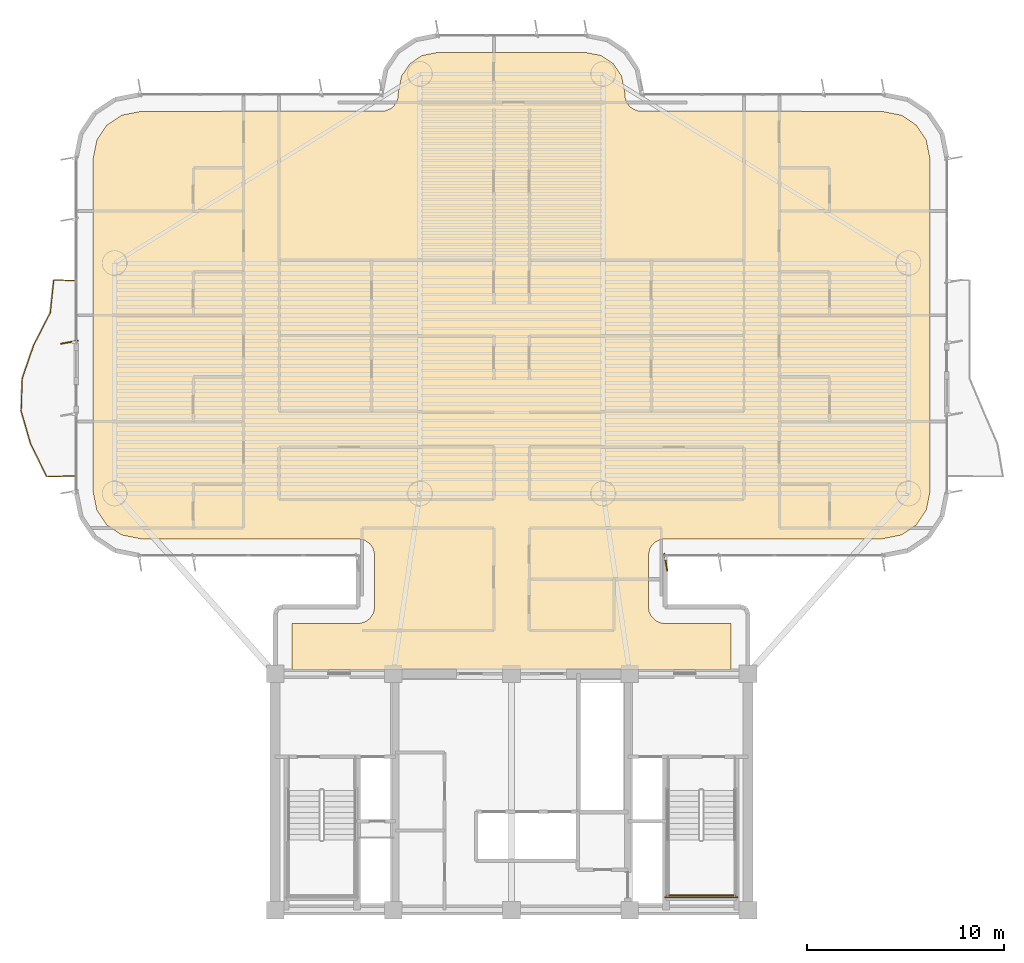
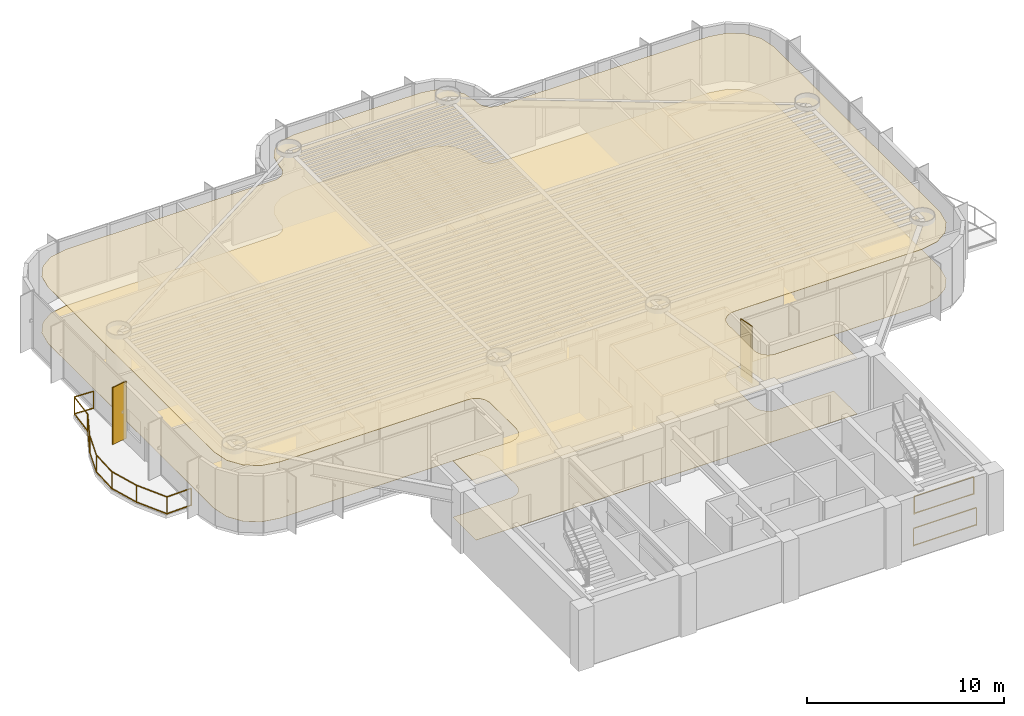
# One storey, part 15 of 17: 3 railings, 2 coverings, 2 shading devices.
"""IFC4 building model written with IfcOpenShell, lengths in metres."""

from ifc_helpers import new_model, si_unit, direction, frame, origin, origin_2d, place, context, subcontext, project, spatial, polyline, rectangle, outline, extrude, source, transform, mapped, material, layer, layer_set, material_profile, profile_set, type_object, element, save


model = new_model("IFC4")

# Units and contexts
model_context = context("Model", 3, precision=1e-05, world=origin(), true_north=direction((0.0, 1.0)))
body_context = subcontext(model_context, "Body", "Model", "MODEL_VIEW")
ifc_project = project(units=[si_unit("LENGTHUNIT", "METRE"), si_unit("AREAUNIT", "SQUARE_METRE"), si_unit("VOLUMEUNIT", "CUBIC_METRE"), si_unit("PLANEANGLEUNIT", "RADIAN"), si_unit("MASSUNIT", "GRAM", prefix="KILO")], contexts=[model_context])

# Site, building, storey
site_placement = place(None, origin())
site = spatial("IfcSite", under=ifc_project, at=site_placement, CompositionType="ELEMENT")
building_placement = place(site_placement, origin())
building = spatial("IfcBuilding", under=site, at=building_placement, Name="Brelvock Crest Care Tower", CompositionType="ELEMENT")
storey_placement = place(building_placement, frame((0.0, 0.0, 135.179931640625)))
storey = spatial("IfcBuildingStorey", under=building, at=storey_placement, Name="L34", CompositionType="ELEMENT", Elevation=135.179931640625)

# Coverings
ifc_material_1 = material(Name="Mineral Fibre Acoustic Ceiling Tile", Category="gypsum")
ifc_layer_1 = layer(ifc_material_1, 0.02490234375, Name="COV-CLG1")
ifc_layer_set_1 = layer_set([ifc_layer_1], Name="Mineral Fibre Acoustic Ceiling Tile")
covering_type_1 = type_object("IfcCoveringType", Name="COV-CLG1", PredefinedType="CEILING", material=ifc_layer_set_1)
covering_1_placement = place(storey_placement, frame((0.0, 0.0, 3.47509765625)))
element("IfcCovering", 1, at=covering_1_placement, inside=storey, type_object=covering_type_1, Name="L34 Acoustic Suspended Ceiling 1", PredefinedType="CEILING", context=body_context, shape_type="SweptSolid", body=[
    extrude(outline(polyline([(24.85009765625, 18.199951171875), (47.14990234375, 18.199951171875), (47.14990234375, 20.550048828125), (43.716796875, 20.55419921875), (43.55322265625, 20.586669921875), (43.327880859375, 20.693359375), (43.09326171875, 20.927734375), (42.986572265625, 21.1533203125), (42.949951171875, 21.39990234375), (42.949951171875, 24.0), (43.0146484375, 24.3251953125), (43.09326171875, 24.47216796875), (43.2607421875, 24.656982421875), (43.55322265625, 24.8134765625), (43.800048828125, 24.85009765625), (54.81640625, 24.85009765625), (55.79296875, 25.044189453125), (56.5498046875, 25.550048828125), (57.0556640625, 26.30712890625), (57.25, 27.28369140625), (57.25, 44.1162109375), (57.0556640625, 45.093017578125), (56.5498046875, 45.849853515625), (55.79296875, 46.355712890625), (54.81640625, 46.550048828125), (42.43408203125, 46.56640625), (42.127685546875, 46.693359375), (41.9990234375, 46.799072265625), (41.850341796875, 46.999267578125), (41.766357421875, 47.234130859375), (41.75, 47.516357421875), (41.586181640625, 48.33984375), (41.1669921875, 48.967041015625), (40.539794921875, 49.38623046875), (39.71630859375, 49.550048828125), (32.28369140625, 49.550048828125), (31.460205078125, 49.38623046875), (30.8330078125, 48.967041015625), (30.413818359375, 48.33984375), (30.25, 47.516357421875), (30.233642578125, 47.234130859375), (30.149658203125, 46.999267578125), (30.0009765625, 46.799072265625), (29.872314453125, 46.693359375), (29.56591796875, 46.56640625), (17.18359375, 46.550048828125), (16.20703125, 46.355712890625), (15.4501953125, 45.849853515625), (14.9443359375, 45.093017578125), (14.75, 44.1162109375), (14.75, 27.28369140625), (14.9443359375, 26.30712890625), (15.4501953125, 25.550048828125), (16.20703125, 25.044189453125), (17.18359375, 24.85009765625), (28.199951171875, 24.85009765625), (28.525390625, 24.785400390625), (28.801025390625, 24.60107421875), (28.94970703125, 24.400634765625), (29.0458984375, 24.083251953125), (29.050048828125, 21.39990234375), (28.9853515625, 21.07470703125), (28.801025390625, 20.799072265625), (28.6005859375, 20.650390625), (28.283203125, 20.55419921875), (24.85009765625, 20.550048828125), (24.85009765625, 18.199951171875)])), origin(), (0.0, 0.0, 1.0), 0.02490234375),
])
ifc_material_2 = material(Name="Slip-Resistant Acoustic Vinyl Flooring", Category="finish")
ifc_layer_2 = layer(ifc_material_2, 0.014892578125, Name="COV-FLR1")
ifc_layer_set_2 = layer_set([ifc_layer_2], Name="Slip-Resistant Acoustic Vinyl Flooring")
covering_type_2 = type_object("IfcCoveringType", Name="COV-FLR1", PredefinedType="FLOORING", material=ifc_layer_set_2)
covering_2_placement = place(storey_placement, origin())
element("IfcCovering", 2, at=covering_2_placement, inside=storey, type_object=covering_type_2, Name="L34 Slip-Resistant Acoustic Flooring 1", PredefinedType="FLOORING", context=body_context, shape_type="SweptSolid", body=[
    extrude(outline(polyline([(24.85009765625, 18.199951171875), (47.14990234375, 18.199951171875), (47.14990234375, 20.550048828125), (43.716796875, 20.55419921875), (43.55322265625, 20.586669921875), (43.327880859375, 20.693359375), (43.09326171875, 20.927734375), (42.986572265625, 21.1533203125), (42.949951171875, 21.39990234375), (42.949951171875, 24.0), (43.0146484375, 24.3251953125), (43.09326171875, 24.47216796875), (43.2607421875, 24.656982421875), (43.55322265625, 24.8134765625), (43.800048828125, 24.85009765625), (54.81640625, 24.85009765625), (55.79296875, 25.044189453125), (56.5498046875, 25.550048828125), (57.0556640625, 26.30712890625), (57.25, 27.28369140625), (57.25, 44.1162109375), (57.0556640625, 45.093017578125), (56.5498046875, 45.849853515625), (55.79296875, 46.355712890625), (54.81640625, 46.550048828125), (42.43408203125, 46.56640625), (42.127685546875, 46.693359375), (41.9990234375, 46.799072265625), (41.850341796875, 46.999267578125), (41.766357421875, 47.234130859375), (41.75, 47.516357421875), (41.586181640625, 48.33984375), (41.1669921875, 48.967041015625), (40.539794921875, 49.38623046875), (39.71630859375, 49.550048828125), (32.28369140625, 49.550048828125), (31.460205078125, 49.38623046875), (30.8330078125, 48.967041015625), (30.413818359375, 48.33984375), (30.25, 47.516357421875), (30.233642578125, 47.234130859375), (30.149658203125, 46.999267578125), (30.0009765625, 46.799072265625), (29.872314453125, 46.693359375), (29.56591796875, 46.56640625), (17.18359375, 46.550048828125), (16.20703125, 46.355712890625), (15.4501953125, 45.849853515625), (14.9443359375, 45.093017578125), (14.75, 44.1162109375), (14.75, 27.28369140625), (14.9443359375, 26.30712890625), (15.4501953125, 25.550048828125), (16.20703125, 25.044189453125), (17.18359375, 24.85009765625), (28.199951171875, 24.85009765625), (28.525390625, 24.785400390625), (28.801025390625, 24.60107421875), (28.94970703125, 24.400634765625), (29.0458984375, 24.083251953125), (29.050048828125, 21.39990234375), (28.9853515625, 21.07470703125), (28.801025390625, 20.799072265625), (28.6005859375, 20.650390625), (28.283203125, 20.55419921875), (24.85009765625, 20.550048828125), (24.85009765625, 18.199951171875)])), origin(), (0.0, 0.0, 1.0), 0.01513671875),
])

# Railings
ifc_material_3 = material(Name="Dark Glass Double Glazed Low-E", Category="glass")
ifc_layer_3 = layer(ifc_material_3, 0.06005859375, Name="RL-BAL1")
ifc_layer_set_3 = layer_set([ifc_layer_3], Name="Dark Glass Double Glazed Low-E")
railing_type_1 = type_object("IfcRailingType", Name="RL-BAL1", PredefinedType="BALUSTRADE", material=ifc_layer_set_3)
railing_1_placement = place(storey_placement, frame((13.860107421875, 28.050048828125, 0.004150390625)))
element("IfcRailing", 3, at=railing_1_placement, inside=storey, type_object=railing_type_1, Name="L34 Safety Balustrade WB-W", PredefinedType="BALUSTRADE", context=body_context, shape_type="SweptSolid", body=[
    extrude(rectangle(XDim=0.048095703125, YDim=0.048095703125, at=origin_2d()), frame((-0.001953125, 0.0, 1.09619140625), z_axis=(-0.999404999824, -0.034491249994, 0.0), x_axis=(0.034491249994, -0.999404999824, 0.0)), (0.0, 0.0, 1.0), 1.447021484375),
    extrude(rectangle(XDim=0.048095703125, YDim=0.048095703125, at=origin_2d()), frame((-0.001953125, 0.0, 0.054931640625), z_axis=(-0.999404999824, -0.034491249994, 0.0), x_axis=(0.034491249994, -0.999404999824, 0.0)), (0.0, 0.0, 1.0), 1.447021484375),
    extrude(rectangle(XDim=0.048095703125, YDim=0.048095703125, at=origin_2d()), frame((-1.451171875, -0.04833984375, 1.09619140625), z_axis=(-0.442214310765, 0.896909417586, 0.0), x_axis=(-0.896909417586, -0.442214310765, 0.0)), (0.0, 0.0, 1.0), 1.854248046875),
    extrude(rectangle(XDim=0.048095703125, YDim=0.048095703125, at=origin_2d()), frame((-1.451171875, -0.04833984375, 0.054931640625), z_axis=(-0.442214310765, 0.896909417586, 0.0), x_axis=(-0.896909417586, -0.442214310765, 0.0)), (0.0, 0.0, 1.0), 1.854248046875),
    extrude(rectangle(XDim=0.048095703125, YDim=0.048095703125, at=origin_2d()), frame((-2.2724609375, 1.61865234375, 1.09619140625), z_axis=(-0.277935062116, 0.960599865317, 0.0), x_axis=(-0.960599865317, -0.277935062116, 0.0)), (0.0, 0.0, 1.0), 1.73095703125),
    extrude(rectangle(XDim=0.048095703125, YDim=0.048095703125, at=origin_2d()), frame((-2.2724609375, 1.61865234375, 0.054931640625), z_axis=(-0.277935062116, 0.960599865317, 0.0), x_axis=(-0.960599865317, -0.277935062116, 0.0)), (0.0, 0.0, 1.0), 1.73095703125),
    extrude(rectangle(XDim=0.048095703125, YDim=0.048095703125, at=origin_2d()), frame((-2.754150390625, 3.28515625, 1.09619140625), z_axis=(0.034109333385, 0.999418107388, 0.0), x_axis=(-0.999418107388, 0.034109333385, 0.0)), (0.0, 0.0, 1.0), 1.663818359375),
    extrude(rectangle(XDim=0.048095703125, YDim=0.048095703125, at=origin_2d()), frame((-2.754150390625, 3.28515625, 0.054931640625), z_axis=(0.034109333385, 0.999418107388, 0.0), x_axis=(-0.999418107388, 0.034109333385, 0.0)), (0.0, 0.0, 1.0), 1.663818359375),
    extrude(rectangle(XDim=0.048095703125, YDim=0.048095703125, at=origin_2d()), frame((-2.696533203125, 4.951904296875, 1.09619140625), z_axis=(0.324735154132, 0.945804990297, 0.0), x_axis=(-0.945804990297, 0.324735154132, 0.0)), (0.0, 0.0, 1.0), 1.75830078125),
    extrude(rectangle(XDim=0.048095703125, YDim=0.048095703125, at=origin_2d()), frame((-2.696533203125, 4.951904296875, 0.054931640625), z_axis=(0.324735154132, 0.945804990297, 0.0), x_axis=(-0.945804990297, 0.324735154132, 0.0)), (0.0, 0.0, 1.0), 1.75830078125),
    extrude(rectangle(XDim=0.048095703125, YDim=0.048095703125, at=origin_2d()), frame((-2.1240234375, 6.618408203125, 1.09619140625), z_axis=(0.454816788854, 0.890585026023, 0.0), x_axis=(-0.890585026023, 0.454816788854, 0.0)), (0.0, 0.0, 1.0), 1.8671875),
    extrude(rectangle(XDim=0.048095703125, YDim=0.048095703125, at=origin_2d()), frame((-2.1240234375, 6.618408203125, 0.054931640625), z_axis=(0.454816788854, 0.890585026023, 0.0), x_axis=(-0.890585026023, 0.454816788854, 0.0)), (0.0, 0.0, 1.0), 1.8671875),
    extrude(rectangle(XDim=0.048095703125, YDim=0.048095703125, at=origin_2d()), frame((-1.273681640625, 8.28515625, 1.09619140625), z_axis=(0.103729188721, 0.994605577808, 0.0), x_axis=(-0.994605577808, 0.103729188721, 0.0)), (0.0, 0.0, 1.0), 1.671875),
    extrude(rectangle(XDim=0.048095703125, YDim=0.048095703125, at=origin_2d()), frame((-1.273681640625, 8.28515625, 0.054931640625), z_axis=(0.103729188721, 0.994605577808, 0.0), x_axis=(-0.994605577808, 0.103729188721, 0.0)), (0.0, 0.0, 1.0), 1.671875),
    extrude(rectangle(XDim=0.048095703125, YDim=0.048095703125, at=origin_2d()), frame((-1.09814453125, 9.949951171875, 1.09619140625), z_axis=(0.998966710972, -0.045447886318, 0.0), x_axis=(0.045447886318, 0.998966710972, 0.0)), (0.0, 0.0, 1.0), 1.09716796875),
    extrude(rectangle(XDim=0.048095703125, YDim=0.048095703125, at=origin_2d()), frame((-1.09814453125, 9.949951171875, 0.054931640625), z_axis=(0.998966710972, -0.045447886318, 0.0), x_axis=(0.045447886318, 0.998966710972, 0.0)), (0.0, 0.0, 1.0), 1.09716796875),
    extrude(rectangle(XDim=0.0419921875, YDim=0.0419921875, at=origin_2d()), origin(), (0.0, 0.0, 1.0), 1.070068359375),
    extrude(rectangle(XDim=0.0419921875, YDim=0.0419921875, at=origin_2d()), frame((-1.4501953125, -0.050048828125, 0.0)), (0.0, 0.0, 1.0), 1.070068359375),
    extrude(rectangle(XDim=0.0419921875, YDim=0.0419921875, at=origin_2d()), frame((-2.27197265625, 1.61669921875, 0.0)), (0.0, 0.0, 1.0), 1.070068359375),
    extrude(rectangle(XDim=0.0419921875, YDim=0.0419921875, at=origin_2d()), frame((-2.754150390625, 3.283203125, 0.0)), (0.0, 0.0, 1.0), 1.070068359375),
    extrude(rectangle(XDim=0.0419921875, YDim=0.0419921875, at=origin_2d()), frame((-2.697265625, 4.949951171875, 0.0)), (0.0, 0.0, 1.0), 1.070068359375),
    extrude(rectangle(XDim=0.0419921875, YDim=0.0419921875, at=origin_2d()), frame((-2.125, 6.61669921875, 0.0)), (0.0, 0.0, 1.0), 1.070068359375),
    extrude(rectangle(XDim=0.0419921875, YDim=0.0419921875, at=origin_2d()), frame((-1.27392578125, 8.283203125, 0.0)), (0.0, 0.0, 1.0), 1.070068359375),
    extrude(rectangle(XDim=0.0419921875, YDim=0.0419921875, at=origin_2d()), frame((-1.10009765625, 9.949951171875, 0.0)), (0.0, 0.0, 1.0), 1.070068359375),
    extrude(rectangle(XDim=0.0419921875, YDim=0.0419921875, at=origin_2d()), frame((0.0, 9.89990234375, 0.0)), (0.0, 0.0, 1.0), 1.070068359375),
])
ifc_material_4 = material(Name="Steel Grade 350", Category="steel")
ifc_layer_4 = layer(ifc_material_4, 0.050048828125, Name="RL-STG1")
ifc_layer_set_4 = layer_set([ifc_layer_4], Name="Steel Grade 350")
railing_type_2 = type_object("IfcRailingType", Name="RL-STG1", PredefinedType="GUARDRAIL", material=ifc_layer_set_4)
railing_2_placement = place(storey_placement, frame((43.889892578125, 6.75, 1.89013671875)))
element("IfcRailing", 4, at=railing_2_placement, inside=storey, type_object=railing_type_2, Name="L34 ST-2 stair guard 5", PredefinedType="GUARDRAIL", context=body_context, shape_type="SweptSolid", body=[
    extrude(rectangle(XDim=0.048095703125, YDim=0.048095703125, at=origin_2d()), frame((0.001953125, 0.0, 1.11572265625), z_axis=(1.0, 0.0, 0.0), x_axis=(0.0, 1.0, 0.0)), (0.0, 0.0, 1.0), 3.476318359375),
    extrude(rectangle(XDim=0.048095703125, YDim=0.048095703125, at=origin_2d()), frame((0.001953125, 0.0, 0.054931640625), z_axis=(1.0, 0.0, 0.0), x_axis=(0.0, 1.0, 0.0)), (0.0, 0.0, 1.0), 3.476318359375),
    extrude(rectangle(XDim=0.0419921875, YDim=0.0419921875, at=origin_2d()), origin(), (0.0, 0.0, 1.0), 1.08984375),
    extrude(rectangle(XDim=0.0419921875, YDim=0.0419921875, at=origin_2d()), frame((3.480224609375, 0.0, 0.0)), (0.0, 0.0, 1.0), 1.08984375),
])
railing_3_placement = place(storey_placement, frame((43.7900390625, 6.64990234375, 0.0)))
element("IfcRailing", 5, at=railing_3_placement, inside=storey, type_object=railing_type_2, Name="L34 ST-2 stair guard 12", PredefinedType="GUARDRAIL", context=body_context, shape_type="SweptSolid", body=[
    extrude(rectangle(XDim=0.048095703125, YDim=0.048095703125, at=origin_2d()), frame((0.001953125, 0.0, 1.11572265625), z_axis=(1.0, 0.0, 0.0), x_axis=(0.0, 1.0, 0.0)), (0.0, 0.0, 1.0), 3.676025390625),
    extrude(rectangle(XDim=0.048095703125, YDim=0.048095703125, at=origin_2d()), frame((0.001953125, 0.0, 0.054931640625), z_axis=(1.0, 0.0, 0.0), x_axis=(0.0, 1.0, 0.0)), (0.0, 0.0, 1.0), 3.676025390625),
    extrude(rectangle(XDim=0.0419921875, YDim=0.0419921875, at=origin_2d()), origin(), (0.0, 0.0, 1.0), 1.08984375),
    extrude(rectangle(XDim=0.0419921875, YDim=0.0419921875, at=origin_2d()), frame((3.679931640625, 0.0, 0.0)), (0.0, 0.0, 1.0), 1.08984375),
])

# Shading devices
ifc_material_5 = material(Name="Aluminium 6063-T6", Category="aluminium")
ifc_material_profile = material_profile(ifc_material_5, rectangle(XDim=0.054931640625, YDim=0.89990234375, at=origin_2d()), Name="FIN55x900")
ifc_profile_set = profile_set([ifc_material_profile], Name="Aluminium 6063-T6")
shading_device_type = type_object("IfcShadingDeviceType", Name="SHD-FIN1", PredefinedType="USERDEFINED", material=ifc_profile_set)
shared_shape = source(origin(), body_context, "Body", "SweptSolid", [
    extrude(rectangle(XDim=0.054931640625, YDim=0.89990234375, at=origin_2d()), origin(), (0.0, 0.0, 1.0), 3.530029296875),
])
for number, where, z_axis, x_axis, name in (
    (6, (13.56005859375, 34.830078125, 0.0), (0.0, 0.0, 1.0), (-0.173648177667, 0.984807753012, 0.0), "L34 Vertical Sunshade Fin E17B-01"),
    (7, (43.830078125, 23.659912109375, 0.0), (0.0, 0.0, 1.0), (-0.984807753012, -0.173648177667, 0.0), "L34 Vertical Sunshade Fin E44-05"),
):
    element("IfcShadingDevice", number, at=place(storey_placement, frame(where, z_axis=z_axis, x_axis=x_axis)), inside=storey, type_object=shading_device_type, Name=name, ObjectType="FIN", PredefinedType="USERDEFINED", context=body_context, shape_type="MappedRepresentation", body=[
        mapped(shared_shape, transform((0.0, 0.0, 0.0), x_axis=(1.0, 0.0, 0.0), y_axis=(0.0, 1.0, 0.0), z_axis=(0.0, 0.0, 1.0), scale=1.0)),
    ])

save(model, "model.ifc")
